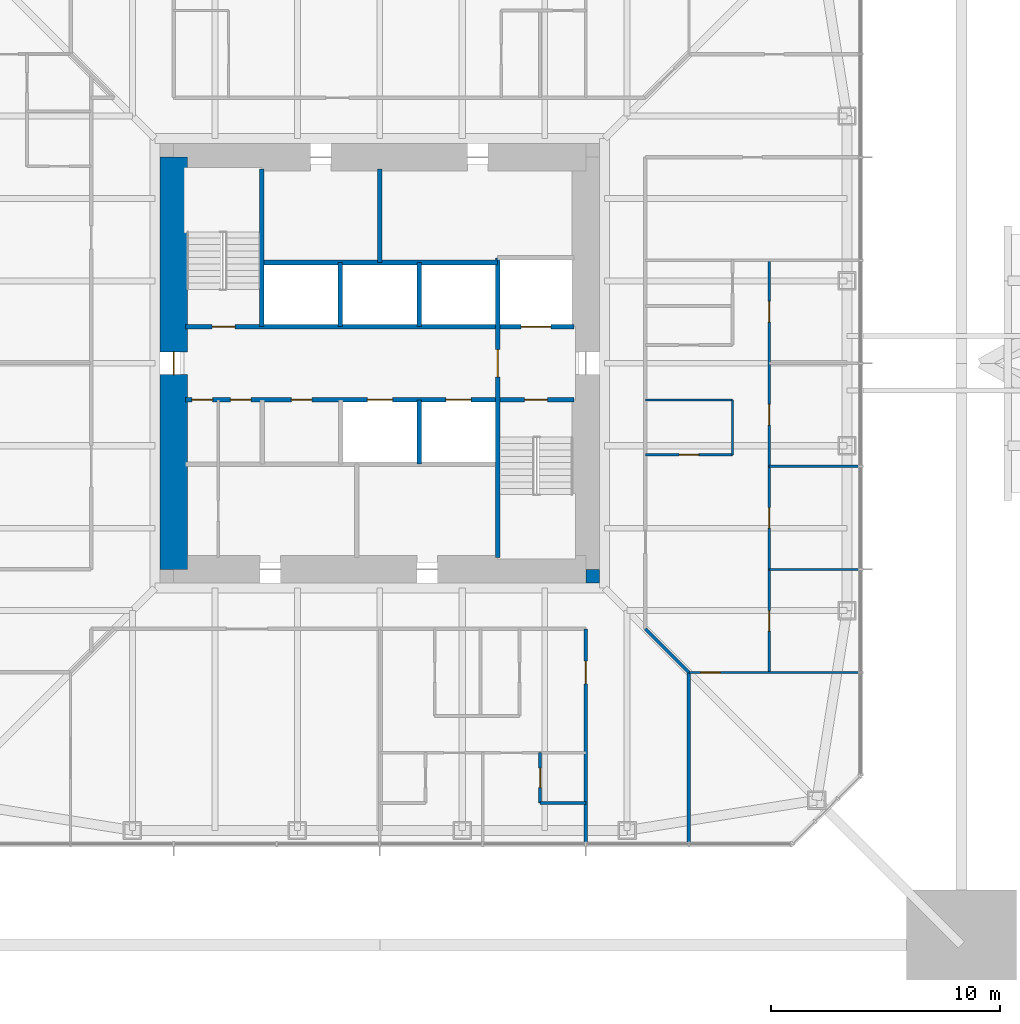
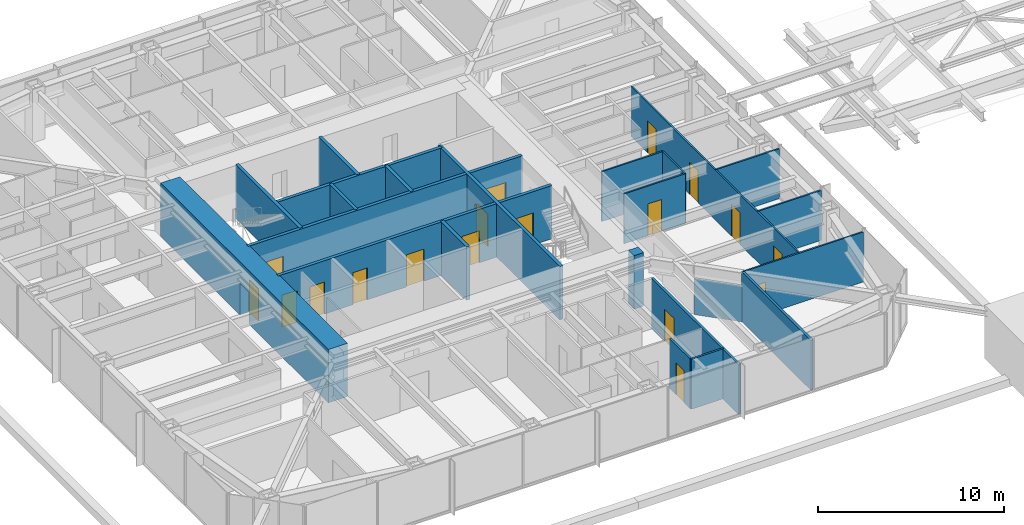
# One storey, part 15 of 26: 23 walls, 18 doors, 18 openings.
"""IFC4 building model written with IfcOpenShell, lengths in metres."""

from ifc_helpers import new_model, si_unit, direction, frame, frame_2d, origin, place, context, subcontext, project, spatial, rectangle, extrude, material, layer, layer_set, type_object, element, fill, save


model = new_model("IFC4")

# Units and contexts
model_context = context("Model", 3, precision=1e-05, world=origin(), true_north=direction((0.0, 1.0)))
body_context = subcontext(model_context, "Body", "Model", "MODEL_VIEW")
ifc_project = project(units=[si_unit("LENGTHUNIT", "METRE"), si_unit("AREAUNIT", "SQUARE_METRE"), si_unit("VOLUMEUNIT", "CUBIC_METRE"), si_unit("PLANEANGLEUNIT", "RADIAN"), si_unit("MASSUNIT", "GRAM", prefix="KILO")], contexts=[model_context])

# Site, building, storey
site_placement = place(None, origin())
site = spatial("IfcSite", under=ifc_project, at=site_placement, CompositionType="ELEMENT")
building_placement = place(site_placement, origin())
building = spatial("IfcBuilding", under=site, at=building_placement, Name="Iwan Alto Co-Living Towers", CompositionType="ELEMENT")
storey_placement = place(building_placement, frame((0.0, 0.0, 126.0)))
storey = spatial("IfcBuildingStorey", under=building, at=storey_placement, Name="L34", CompositionType="ELEMENT", Elevation=126.0)

# Wall
ifc_material_1 = material(Name="Gypsum board")
ifc_layer_1 = layer(ifc_material_1, 0.02490234375, Name="Board", Category="Finish")
ifc_material_2 = material(Name="Steel ASTM A1003 ST33H cold-formed studs", Category="steel")
ifc_layer_2 = layer(ifc_material_2, 0.10009765625, Name="Studs", Category="Framing")
ifc_layer_3 = layer(ifc_material_1, 0.02490234375, Name="Board", Category="Finish")
ifc_layer_set_1 = layer_set([ifc_layer_1, ifc_layer_2, ifc_layer_3], Name="CORRIDOR WALL 150")
wall_type_1 = type_object("IfcWallType", Name="CORRIDOR WALL 150", PredefinedType="PARTITIONING", material=ifc_layer_set_1)
wall_1_placement = place(storey_placement, frame((13.5, -20.93994140625, 0.0), z_axis=(0.0, 0.0, 1.0), x_axis=(0.0, 1.0, 0.0)))
element("IfcWall", 1, at=wall_1_placement, inside=storey, type_object=wall_type_1, Name="Partition L34", PredefinedType="PARTITIONING", context=body_context, shape_type="SweptSolid", body=[
    extrude(rectangle(XDim=7.43994140625, YDim=0.14990234375, at=frame_2d((3.719970703125, 0.0))), origin(), (0.0, 0.0, 1.0), 3.27001953125),
])

# Wall, opening, door
wall_2_placement = place(storey_placement, frame((9.0, -20.93994140625, 0.0), z_axis=(0.0, 0.0, 1.0), x_axis=(0.0, 1.0, 0.0)))
wall_2 = element("IfcWall", 2, at=wall_2_placement, inside=storey, type_object=wall_type_1, Name="Partition L34", PredefinedType="PARTITIONING", context=body_context, shape_type="SweptSolid", body=[
    extrude(rectangle(XDim=9.33984375, YDim=0.14990234375, at=frame_2d((4.669921875, 0.0))), origin(), (0.0, 0.0, 1.0), 3.27001953125),
])
opening_1_placement = place(wall_2_placement, frame((6.93994140625, 0.0, 0.0)))
opening_1 = element("IfcOpeningElement", 3, at=opening_1_placement, cuts=wall_2, Name="Opening D3", PredefinedType="OPENING", context=body_context, shape_type="SweptSolid", body=[
    extrude(rectangle(XDim=1.0, YDim=2.10009765625, at=frame_2d((0.5, 1.050048828125))), frame((0.0, 0.0849609375, 0.0), z_axis=(0.0, -1.0, 0.0), x_axis=(1.0, 0.0, 0.0)), (0.0, 0.0, 1.0), 0.169921875),
])
ifc_material_3 = material(Name="Steel frame with timber leaf", Category="steel")
door_type_1 = type_object("IfcDoorType", Name="FLAT ENTRANCE DOOR FD30S 1000X2100", OperationType="SINGLE_SWING_LEFT", PredefinedType="DOOR", material=ifc_material_3)
door_1_placement = place(opening_1_placement, origin())
door_1 = element("IfcDoor", 4, at=door_1_placement, inside=storey, type_object=door_type_1, Name="Cluster lounge and shared kitchen door L34", OperationType="SINGLE_SWING_RIGHT", OverallHeight=2.10009765625, OverallWidth=1.0, PredefinedType="DOOR", context=body_context, shape_type="SweptSolid", body=[
    extrude(rectangle(XDim=1.0, YDim=2.10009765625, at=frame_2d((0.5, 1.050048828125))), frame((0.0, 0.02490234375, 0.0), z_axis=(0.0, -1.0, 0.0), x_axis=(1.0, 0.0, 0.0)), (0.0, 0.0, 1.0), 0.050048828125),
])
fill(opening_1, door_1)

# Wall
wall_3_placement = place(storey_placement, frame((13.5, -13.5, 0.0), z_axis=(0.0, 0.0, 1.0), x_axis=(-0.707106781187, 0.707106781187, 0.0)))
element("IfcWall", 5, at=wall_3_placement, inside=storey, type_object=wall_type_1, Name="Partition L34", PredefinedType="PARTITIONING", context=body_context, shape_type="SweptSolid", body=[
    extrude(rectangle(XDim=2.686767578125, YDim=0.14990234375, at=frame_2d((1.34326171875, 0.0))), origin(), (0.0, 0.0, 1.0), 2.343017578125),
])

# Wall, opening, door
ifc_layer_4 = layer(ifc_material_1, 0.012451171875, Name="Board", Category="Finish")
ifc_layer_5 = layer(ifc_material_2, 0.074951171875, Name="Studs", Category="Framing")
ifc_layer_6 = layer(ifc_material_1, 0.012451171875, Name="Board", Category="Finish")
ifc_layer_set_2 = layer_set([ifc_layer_4, ifc_layer_5, ifc_layer_6], Name="PARTITION 100")
wall_type_2 = type_object("IfcWallType", Name="PARTITION 100", PredefinedType="PARTITIONING", material=ifc_layer_set_2)
wall_4_placement = place(storey_placement, frame((13.5, -13.5, 0.0), z_axis=(0.0, 0.0, 1.0), x_axis=(1.0, 0.0, 0.0)))
wall_4 = element("IfcWall", 6, at=wall_4_placement, inside=storey, type_object=wall_type_2, Name="Partition L34", PredefinedType="PARTITIONING", context=body_context, shape_type="SweptSolid", body=[
    extrude(rectangle(XDim=7.43994140625, YDim=0.10009765625, at=frame_2d((3.719970703125, 0.0))), origin(), (0.0, 0.0, 1.0), 3.27001953125),
])
opening_2_placement = place(wall_4_placement, frame((0.52490234375, 0.0, 0.0)))
opening_2 = element("IfcOpeningElement", 7, at=opening_2_placement, cuts=wall_4, Name="Opening D2", PredefinedType="OPENING", context=body_context, shape_type="SweptSolid", body=[
    extrude(rectangle(XDim=0.85009765625, YDim=2.10009765625, at=frame_2d((0.425048828125, 1.050048828125))), frame((0.0, 0.06005859375, 0.0), z_axis=(0.0, -1.0, 0.0), x_axis=(1.0, 0.0, 0.0)), (0.0, 0.0, 1.0), 0.1201171875),
])
ifc_material_4 = material(Name="Timber leaf in steel frame", Category="steel")
door_type_2 = type_object("IfcDoorType", Name="ROOM DOOR 850X2100", OperationType="SINGLE_SWING_LEFT", PredefinedType="DOOR", material=ifc_material_4)
door_2_placement = place(opening_2_placement, origin())
door_2 = element("IfcDoor", 8, at=door_2_placement, inside=storey, type_object=door_type_2, Name="Shared kitchen and lounge door L34", OperationType="SINGLE_SWING_LEFT", OverallHeight=2.10009765625, OverallWidth=0.85009765625, PredefinedType="DOOR", context=body_context, shape_type="SweptSolid", body=[
    extrude(rectangle(XDim=0.85009765625, YDim=2.10009765625, at=frame_2d((0.425048828125, 1.050048828125))), frame((0.0, 0.02490234375, 0.0), z_axis=(0.0, -1.0, 0.0), x_axis=(1.0, 0.0, 0.0)), (0.0, 0.0, 1.0), 0.050048828125),
])
fill(opening_2, door_2)

# Walls
for number, where, z_axis, x_axis, name in (
    (9, (17.0, -9.0, 0.0), (0.0, 0.0, 1.0), (1.0, 0.0, 0.0), "Partition L34"),
    (10, (17.0, -4.5, 0.0), (0.0, 0.0, 1.0), (1.0, 0.0, 0.0), "Partition L34"),
):
    element("IfcWall", number, at=place(storey_placement, frame(where, z_axis=z_axis, x_axis=x_axis)), inside=storey, type_object=wall_type_2, Name=name, PredefinedType="PARTITIONING", context=body_context, shape_type="SweptSolid", body=[
        extrude(rectangle(XDim=3.93994140625, YDim=0.10009765625, at=frame_2d((1.969970703125, 0.0))), origin(), (0.0, 0.0, 1.0), 3.27001953125),
    ])

# Wall, opening, door
wall_5_placement = place(storey_placement, frame((11.60009765625, -4.0, 0.0), z_axis=(0.0, 0.0, 1.0), x_axis=(1.0, 0.0, 0.0)))
wall_5 = element("IfcWall", 11, at=wall_5_placement, inside=storey, type_object=wall_type_2, Name="Partition L34", PredefinedType="PARTITIONING", context=body_context, shape_type="SweptSolid", body=[
    extrude(rectangle(XDim=3.7998046875, YDim=0.10009765625, at=frame_2d((1.89990234375, 0.0))), origin(), (0.0, 0.0, 1.0), 3.27001953125),
])
opening_3_placement = place(wall_5_placement, frame((1.47509765625, 0.0, 0.0)))
opening_3 = element("IfcOpeningElement", 12, at=opening_3_placement, cuts=wall_5, Name="Opening D2", PredefinedType="OPENING", context=body_context, shape_type="SweptSolid", body=[
    extrude(rectangle(XDim=0.85009765625, YDim=2.10009765625, at=frame_2d((0.425048828125, 1.050048828125))), frame((0.0, 0.06005859375, 0.0), z_axis=(0.0, -1.0, 0.0), x_axis=(1.0, 0.0, 0.0)), (0.0, 0.0, 1.0), 0.1201171875),
])
door_3_placement = place(opening_3_placement, frame((0.85009765625, 0.0, 0.0), z_axis=(0.0, 0.0, 1.0), x_axis=(-1.0, 0.0, 0.0)))
door_3 = element("IfcDoor", 13, at=door_3_placement, inside=storey, type_object=door_type_2, Name="Study room door L34", OperationType="SINGLE_SWING_RIGHT", OverallHeight=2.10009765625, OverallWidth=0.85009765625, PredefinedType="DOOR", context=body_context, shape_type="SweptSolid", body=[
    extrude(rectangle(XDim=0.85009765625, YDim=2.10009765625, at=frame_2d((0.425048828125, 1.050048828125))), frame((0.0, 0.02490234375, 0.0), z_axis=(0.0, -1.0, 0.0), x_axis=(1.0, 0.0, 0.0)), (0.0, 0.0, 1.0), 0.050048828125),
])
fill(opening_3, door_3)

# Wall
wall_6_placement = place(storey_placement, frame((11.60009765625, -1.60009765625, 0.0), z_axis=(0.0, 0.0, 1.0), x_axis=(1.0, 0.0, 0.0)))
element("IfcWall", 14, at=wall_6_placement, inside=storey, type_object=wall_type_2, Name="Partition L34", PredefinedType="PARTITIONING", context=body_context, shape_type="SweptSolid", body=[
    extrude(rectangle(XDim=3.7998046875, YDim=0.10009765625, at=frame_2d((1.89990234375, 0.0))), origin(), (0.0, 0.0, 1.0), 3.27001953125),
])

# Wall, openings, doors
wall_7_placement = place(storey_placement, frame((17.0, -13.5, 0.0), z_axis=(0.0, 0.0, 1.0), x_axis=(0.0, 1.0, 0.0)))
wall_7 = element("IfcWall", 15, at=wall_7_placement, inside=storey, type_object=wall_type_2, Name="Partition L34", PredefinedType="PARTITIONING", context=body_context, shape_type="SweptSolid", body=[
    extrude(rectangle(XDim=18.0, YDim=0.10009765625, at=frame_2d((9.0, 0.0))), origin(), (0.0, 0.0, 1.0), 3.27001953125),
])
opening_4_placement = place(wall_7_placement, frame((1.800048828125, 0.0, 0.0)))
opening_4 = element("IfcOpeningElement", 16, at=opening_4_placement, cuts=wall_7, Name="Opening D1", PredefinedType="OPENING", context=body_context, shape_type="SweptSolid", body=[
    extrude(rectangle(XDim=0.89990234375, YDim=2.10009765625, at=frame_2d((0.449951171875, 1.050048828125))), frame((0.0, 0.06005859375, 0.0), z_axis=(0.0, -1.0, 0.0), x_axis=(1.0, 0.0, 0.0)), (0.0, 0.0, 1.0), 0.1201171875),
])
opening_5_placement = place(wall_7_placement, frame((6.300048828125, 0.0, 0.0)))
opening_5 = element("IfcOpeningElement", 17, at=opening_5_placement, cuts=wall_7, Name="Opening D1", PredefinedType="OPENING", context=body_context, shape_type="SweptSolid", body=[
    extrude(rectangle(XDim=0.89990234375, YDim=2.10009765625, at=frame_2d((0.449951171875, 1.050048828125))), frame((0.0, 0.06005859375, 0.0), z_axis=(0.0, -1.0, 0.0), x_axis=(1.0, 0.0, 0.0)), (0.0, 0.0, 1.0), 0.1201171875),
])
opening_6_placement = place(wall_7_placement, frame((10.800048828125, 0.0, 0.0)))
opening_6 = element("IfcOpeningElement", 18, at=opening_6_placement, cuts=wall_7, Name="Opening D1", PredefinedType="OPENING", context=body_context, shape_type="SweptSolid", body=[
    extrude(rectangle(XDim=0.89990234375, YDim=2.10009765625, at=frame_2d((0.449951171875, 1.050048828125))), frame((0.0, 0.06005859375, 0.0), z_axis=(0.0, -1.0, 0.0), x_axis=(1.0, 0.0, 0.0)), (0.0, 0.0, 1.0), 0.1201171875),
])
opening_7_placement = place(wall_7_placement, frame((15.300048828125, 0.0, 0.0)))
opening_7 = element("IfcOpeningElement", 19, at=opening_7_placement, cuts=wall_7, Name="Opening D1", PredefinedType="OPENING", context=body_context, shape_type="SweptSolid", body=[
    extrude(rectangle(XDim=0.89990234375, YDim=2.10009765625, at=frame_2d((0.449951171875, 1.050048828125))), frame((0.0, 0.06005859375, 0.0), z_axis=(0.0, -1.0, 0.0), x_axis=(1.0, 0.0, 0.0)), (0.0, 0.0, 1.0), 0.1201171875),
])
ifc_material_5 = material(Name="Timber leaf in steel frame", Category="steel")
door_type_3 = type_object("IfcDoorType", Name="BEDROOM DOOR 900X2100", OperationType="SINGLE_SWING_LEFT", PredefinedType="DOOR", material=ifc_material_5)
door_4_placement = place(opening_4_placement, origin())
door_4 = element("IfcDoor", 20, at=door_4_placement, inside=storey, type_object=door_type_3, Name="Study bedroom door L34", OperationType="SINGLE_SWING_LEFT", OverallHeight=2.10009765625, OverallWidth=0.89990234375, PredefinedType="DOOR", context=body_context, shape_type="SweptSolid", body=[
    extrude(rectangle(XDim=0.89990234375, YDim=2.10009765625, at=frame_2d((0.449951171875, 1.050048828125))), frame((0.0, 0.02490234375, 0.0), z_axis=(0.0, -1.0, 0.0), x_axis=(1.0, 0.0, 0.0)), (0.0, 0.0, 1.0), 0.050048828125),
])
fill(opening_4, door_4)
door_5_placement = place(opening_5_placement, origin())
door_5 = element("IfcDoor", 21, at=door_5_placement, inside=storey, type_object=door_type_3, Name="Study bedroom door L34", OperationType="SINGLE_SWING_LEFT", OverallHeight=2.10009765625, OverallWidth=0.89990234375, PredefinedType="DOOR", context=body_context, shape_type="SweptSolid", body=[
    extrude(rectangle(XDim=0.89990234375, YDim=2.10009765625, at=frame_2d((0.449951171875, 1.050048828125))), frame((0.0, 0.02490234375, 0.0), z_axis=(0.0, -1.0, 0.0), x_axis=(1.0, 0.0, 0.0)), (0.0, 0.0, 1.0), 0.050048828125),
])
fill(opening_5, door_5)
door_6_placement = place(opening_6_placement, origin())
door_6 = element("IfcDoor", 22, at=door_6_placement, inside=storey, type_object=door_type_3, Name="Study bedroom door L34", OperationType="SINGLE_SWING_RIGHT", OverallHeight=2.10009765625, OverallWidth=0.89990234375, PredefinedType="DOOR", context=body_context, shape_type="SweptSolid", body=[
    extrude(rectangle(XDim=0.89990234375, YDim=2.10009765625, at=frame_2d((0.449951171875, 1.050048828125))), frame((0.0, 0.02490234375, 0.0), z_axis=(0.0, -1.0, 0.0), x_axis=(1.0, 0.0, 0.0)), (0.0, 0.0, 1.0), 0.050048828125),
])
fill(opening_6, door_6)
door_7_placement = place(opening_7_placement, origin())
door_7 = element("IfcDoor", 23, at=door_7_placement, inside=storey, type_object=door_type_3, Name="Study bedroom door L34", OperationType="SINGLE_SWING_RIGHT", OverallHeight=2.10009765625, OverallWidth=0.89990234375, PredefinedType="DOOR", context=body_context, shape_type="SweptSolid", body=[
    extrude(rectangle(XDim=0.89990234375, YDim=2.10009765625, at=frame_2d((0.449951171875, 1.050048828125))), frame((0.0, 0.02490234375, 0.0), z_axis=(0.0, -1.0, 0.0), x_axis=(1.0, 0.0, 0.0)), (0.0, 0.0, 1.0), 0.050048828125),
])
fill(opening_7, door_7)

# Wall
wall_8_placement = place(storey_placement, frame((15.39990234375, -4.0, 0.0), z_axis=(0.0, 0.0, 1.0), x_axis=(0.0, 1.0, 0.0)))
element("IfcWall", 24, at=wall_8_placement, inside=storey, type_object=wall_type_2, Name="Partition L34", PredefinedType="PARTITIONING", context=body_context, shape_type="SweptSolid", body=[
    extrude(rectangle(XDim=2.39990234375, YDim=0.10009765625, at=frame_2d((1.199951171875, 0.0))), origin(), (0.0, 0.0, 1.0), 3.27001953125),
])

# Wall, openings, doors
ifc_material_6 = material(Name="Concrete f'c 70 MPa", Category="concrete")
ifc_layer_7 = layer(ifc_material_6, 0.199951171875)
ifc_layer_set_3 = layer_set([ifc_layer_7], Name="SHAFT WALL 200")
wall_type_3 = type_object("IfcWallType", Name="SHAFT WALL 200", PredefinedType="SOLIDWALL", material=ifc_layer_set_3)
wall_9_placement = place(storey_placement, frame((-8.489990234375, -1.60009765625, 0.0), z_axis=(0.0, 0.0, 1.0), x_axis=(1.0, 0.0, 0.0)))
wall_9 = element("IfcWall", 25, at=wall_9_placement, inside=storey, type_object=wall_type_3, Name="Shaft wall L34", PredefinedType="SOLIDWALL", context=body_context, shape_type="SweptSolid", body=[
    extrude(rectangle(XDim=16.97998046875, YDim=0.199951171875, at=frame_2d((8.489990234375, 0.0))), origin(), (0.0, 0.0, 1.0), 3.5),
])
opening_8_placement = place(wall_9_placement, frame((14.81005859375, 0.0, 0.0)))
opening_8 = element("IfcOpeningElement", 26, at=opening_8_placement, cuts=wall_9, Name="Opening D5", PredefinedType="OPENING", context=body_context, shape_type="SweptSolid", body=[
    extrude(rectangle(XDim=1.0, YDim=2.10009765625, at=frame_2d((0.5, 1.050048828125))), frame((0.0, 0.10986328125, 0.0), z_axis=(0.0, -1.0, 0.0), x_axis=(1.0, 0.0, 0.0)), (0.0, 0.0, 1.0), 0.219970703125),
])
opening_9_placement = place(wall_9_placement, frame((1.972900390625, 0.0, 0.0)))
opening_9 = element("IfcOpeningElement", 27, at=opening_9_placement, cuts=wall_9, Name="Opening D15", PredefinedType="OPENING", context=body_context, shape_type="SweptSolid", body=[
    extrude(rectangle(XDim=0.89990234375, YDim=2.10009765625, at=frame_2d((0.449951171875, 1.050048828125))), frame((0.0, 0.10986328125, 0.0), z_axis=(0.0, -1.0, 0.0), x_axis=(1.0, 0.0, 0.0)), (0.0, 0.0, 1.0), 0.219970703125),
])
opening_10_placement = place(wall_9_placement, frame((0.2900390625, 0.0, 0.0)))
opening_10 = element("IfcOpeningElement", 28, at=opening_10_placement, cuts=wall_9, Name="Opening D15", PredefinedType="OPENING", context=body_context, shape_type="SweptSolid", body=[
    extrude(rectangle(XDim=0.89990234375, YDim=2.10009765625, at=frame_2d((0.449951171875, 1.050048828125))), frame((0.0, 0.10986328125, 0.0), z_axis=(0.0, -1.0, 0.0), x_axis=(1.0, 0.0, 0.0)), (0.0, 0.0, 1.0), 0.219970703125),
])
opening_11_placement = place(wall_9_placement, frame((4.626953125, 0.0, 0.0)))
opening_11 = element("IfcOpeningElement", 29, at=opening_11_placement, cuts=wall_9, Name="Opening D15", PredefinedType="OPENING", context=body_context, shape_type="SweptSolid", body=[
    extrude(rectangle(XDim=0.89990234375, YDim=2.10009765625, at=frame_2d((0.449951171875, 1.050048828125))), frame((0.0, 0.10986328125, 0.0), z_axis=(0.0, -1.0, 0.0), x_axis=(1.0, 0.0, 0.0)), (0.0, 0.0, 1.0), 0.219970703125),
])
opening_12_placement = place(wall_9_placement, frame((7.952880859375, 0.0, 0.0)))
opening_12 = element("IfcOpeningElement", 30, at=opening_12_placement, cuts=wall_9, Name="Opening LD", PredefinedType="OPENING", context=body_context, shape_type="SweptSolid", body=[
    extrude(rectangle(XDim=1.10009765625, YDim=2.10009765625, at=frame_2d((0.550048828125, 1.050048828125))), frame((0.0, 0.10986328125, 0.0), z_axis=(0.0, -1.0, 0.0), x_axis=(1.0, 0.0, 0.0)), (0.0, 0.0, 1.0), 0.219970703125),
])
opening_13_placement = place(wall_9_placement, frame((11.3779296875, 0.0, 0.0)))
opening_13 = element("IfcOpeningElement", 31, at=opening_13_placement, cuts=wall_9, Name="Opening LD", PredefinedType="OPENING", context=body_context, shape_type="SweptSolid", body=[
    extrude(rectangle(XDim=1.10009765625, YDim=2.10009765625, at=frame_2d((0.550048828125, 1.050048828125))), frame((0.0, 0.10986328125, 0.0), z_axis=(0.0, -1.0, 0.0), x_axis=(1.0, 0.0, 0.0)), (0.0, 0.0, 1.0), 0.219970703125),
])
ifc_material_7 = material(Name="Steel frame with timber leaf", Category="steel")
door_type_4 = type_object("IfcDoorType", Name="CORE ROOM DOOR FD60S 900X2100", OperationType="SINGLE_SWING_LEFT", PredefinedType="DOOR", material=ifc_material_7)
door_8_placement = place(opening_9_placement, frame((0.89990234375, 0.0, 0.0), z_axis=(0.0, 0.0, 1.0), x_axis=(-1.0, 0.0, 0.0)))
door_8 = element("IfcDoor", 32, at=door_8_placement, inside=storey, type_object=door_type_4, Name="Cleaner's store door L34", OperationType="SINGLE_SWING_RIGHT", OverallHeight=2.10009765625, OverallWidth=0.89990234375, PredefinedType="DOOR", context=body_context, shape_type="SweptSolid", body=[
    extrude(rectangle(XDim=0.89990234375, YDim=2.10009765625, at=frame_2d((0.449951171875, 1.050048828125))), frame((0.0, 0.02490234375, 0.0), z_axis=(0.0, -1.0, 0.0), x_axis=(1.0, 0.0, 0.0)), (0.0, 0.0, 1.0), 0.050048828125),
])
fill(opening_9, door_8)
door_9_placement = place(opening_10_placement, frame((0.89990234375, 0.0, 0.0), z_axis=(0.0, 0.0, 1.0), x_axis=(-1.0, 0.0, 0.0)))
door_9 = element("IfcDoor", 33, at=door_9_placement, inside=storey, type_object=door_type_4, Name="Comms room door L34", OperationType="SINGLE_SWING_LEFT", OverallHeight=2.10009765625, OverallWidth=0.89990234375, PredefinedType="DOOR", context=body_context, shape_type="SweptSolid", body=[
    extrude(rectangle(XDim=0.89990234375, YDim=2.10009765625, at=frame_2d((0.449951171875, 1.050048828125))), frame((0.0, 0.02490234375, 0.0), z_axis=(0.0, -1.0, 0.0), x_axis=(1.0, 0.0, 0.0)), (0.0, 0.0, 1.0), 0.050048828125),
])
fill(opening_10, door_9)
door_10_placement = place(opening_11_placement, frame((0.89990234375, 0.0, 0.0), z_axis=(0.0, 0.0, 1.0), x_axis=(-1.0, 0.0, 0.0)))
door_10 = element("IfcDoor", 34, at=door_10_placement, inside=storey, type_object=door_type_4, Name="Cleaner's store door L34", OperationType="SINGLE_SWING_RIGHT", OverallHeight=2.10009765625, OverallWidth=0.89990234375, PredefinedType="DOOR", context=body_context, shape_type="SweptSolid", body=[
    extrude(rectangle(XDim=0.89990234375, YDim=2.10009765625, at=frame_2d((0.449951171875, 1.050048828125))), frame((0.0, 0.02490234375, 0.0), z_axis=(0.0, -1.0, 0.0), x_axis=(1.0, 0.0, 0.0)), (0.0, 0.0, 1.0), 0.050048828125),
])
fill(opening_11, door_10)
ifc_material_8 = material(Name="Steel frame with timber leaf", Category="steel")
door_type_5 = type_object("IfcDoorType", Name="LIFT LANDING DOOR 1100X2100", OperationType="DOUBLE_DOOR_SLIDING", PredefinedType="DOOR", material=ifc_material_8)
door_11_placement = place(opening_12_placement, origin())
door_11 = element("IfcDoor", 35, at=door_11_placement, inside=storey, type_object=door_type_5, Name="Lift P2-3 landing door L34", OperationType="DOUBLE_DOOR_SLIDING", OverallHeight=2.10009765625, OverallWidth=1.10009765625, PredefinedType="DOOR", context=body_context, shape_type="SweptSolid", body=[
    extrude(rectangle(XDim=1.10009765625, YDim=2.10009765625, at=frame_2d((0.550048828125, 1.050048828125))), frame((0.0, 0.02490234375, 0.0), z_axis=(0.0, -1.0, 0.0), x_axis=(1.0, 0.0, 0.0)), (0.0, 0.0, 1.0), 0.050048828125),
])
fill(opening_12, door_11)
door_12_placement = place(opening_13_placement, origin())
door_12 = element("IfcDoor", 36, at=door_12_placement, inside=storey, type_object=door_type_5, Name="Lift P2-4 landing door L34", OperationType="DOUBLE_DOOR_SLIDING", OverallHeight=2.10009765625, OverallWidth=1.10009765625, PredefinedType="DOOR", context=body_context, shape_type="SweptSolid", body=[
    extrude(rectangle(XDim=1.10009765625, YDim=2.10009765625, at=frame_2d((0.550048828125, 1.050048828125))), frame((0.0, 0.02490234375, 0.0), z_axis=(0.0, -1.0, 0.0), x_axis=(1.0, 0.0, 0.0)), (0.0, 0.0, 1.0), 0.050048828125),
])
fill(opening_13, door_12)
ifc_material_9 = material(Name="Steel frame with timber leaf", Category="steel")
door_type_6 = type_object("IfcDoorType", Name="STAIR DOOR FD120S 1000X2100", OperationType="SINGLE_SWING_LEFT", PredefinedType="DOOR", material=ifc_material_9)
door_13_placement = place(opening_8_placement, frame((1.0, 0.0, 0.0), z_axis=(0.0, 0.0, 1.0), x_axis=(-1.0, 0.0, 0.0)))
door_13 = element("IfcDoor", 37, at=door_13_placement, inside=storey, type_object=door_type_6, Name="Stair S2 door L34", OperationType="SINGLE_SWING_RIGHT", OverallHeight=2.10009765625, OverallWidth=1.0, PredefinedType="DOOR", context=body_context, shape_type="SweptSolid", body=[
    extrude(rectangle(XDim=1.0, YDim=2.10009765625, at=frame_2d((0.5, 1.050048828125))), frame((0.0, 0.02490234375, 0.0), z_axis=(0.0, -1.0, 0.0), x_axis=(1.0, 0.0, 0.0)), (0.0, 0.0, 1.0), 0.050048828125),
])
fill(opening_8, door_13)

wall_10_placement = place(storey_placement, frame((-8.489990234375, 1.60009765625, 0.0), z_axis=(0.0, 0.0, 1.0), x_axis=(1.0, 0.0, 0.0)))
wall_10 = element("IfcWall", 38, at=wall_10_placement, inside=storey, type_object=wall_type_3, Name="Shaft wall L34", PredefinedType="SOLIDWALL", context=body_context, shape_type="SweptSolid", body=[
    extrude(rectangle(XDim=16.97998046875, YDim=0.199951171875, at=frame_2d((8.489990234375, 0.0))), origin(), (0.0, 0.0, 1.0), 3.5),
])
opening_14_placement = place(wall_10_placement, frame((1.169921875, 0.0, 0.0)))
opening_14 = element("IfcOpeningElement", 39, at=opening_14_placement, cuts=wall_10, Name="Opening D5", PredefinedType="OPENING", context=body_context, shape_type="SweptSolid", body=[
    extrude(rectangle(XDim=1.0, YDim=2.10009765625, at=frame_2d((0.5, 1.050048828125))), frame((0.0, 0.10986328125, 0.0), z_axis=(0.0, -1.0, 0.0), x_axis=(1.0, 0.0, 0.0)), (0.0, 0.0, 1.0), 0.219970703125),
])
opening_15_placement = place(wall_10_placement, frame((14.659912109375, 0.0, 0.0)))
opening_15 = element("IfcOpeningElement", 40, at=opening_15_placement, cuts=wall_10, Name="Opening LD2", PredefinedType="OPENING", context=body_context, shape_type="SweptSolid", body=[
    extrude(rectangle(XDim=1.300048828125, YDim=2.10009765625, at=frame_2d((0.64990234375, 1.050048828125))), frame((0.0, 0.10986328125, 0.0), z_axis=(0.0, -1.0, 0.0), x_axis=(1.0, 0.0, 0.0)), (0.0, 0.0, 1.0), 0.219970703125),
])
ifc_material_10 = material(Name="Steel frame with timber leaf", Category="steel")
door_type_7 = type_object("IfcDoorType", Name="LIFT LANDING DOOR 1300X2100", OperationType="SLIDING_TO_LEFT", PredefinedType="DOOR", material=ifc_material_10)
door_14_placement = place(opening_15_placement, origin())
door_14 = element("IfcDoor", 41, at=door_14_placement, inside=storey, type_object=door_type_7, Name="Lift FL1 landing door L34", OperationType="SLIDING_TO_LEFT", OverallHeight=2.10009765625, OverallWidth=1.300048828125, PredefinedType="DOOR", context=body_context, shape_type="SweptSolid", body=[
    extrude(rectangle(XDim=1.300048828125, YDim=2.10009765625, at=frame_2d((0.64990234375, 1.050048828125))), frame((0.0, 0.02490234375, 0.0), z_axis=(0.0, -1.0, 0.0), x_axis=(1.0, 0.0, 0.0)), (0.0, 0.0, 1.0), 0.050048828125),
])
fill(opening_15, door_14)
door_15_placement = place(opening_14_placement, origin())
door_15 = element("IfcDoor", 42, at=door_15_placement, inside=storey, type_object=door_type_6, Name="Stair S1 door L34", OperationType="SINGLE_SWING_RIGHT", OverallHeight=2.10009765625, OverallWidth=1.0, PredefinedType="DOOR", context=body_context, shape_type="SweptSolid", body=[
    extrude(rectangle(XDim=1.0, YDim=2.10009765625, at=frame_2d((0.5, 1.050048828125))), frame((0.0, 0.02490234375, 0.0), z_axis=(0.0, -1.0, 0.0), x_axis=(1.0, 0.0, 0.0)), (0.0, 0.0, 1.0), 0.050048828125),
])
fill(opening_14, door_15)

# Wall
wall_11_placement = place(storey_placement, frame((-5.14990234375, 4.39990234375, 0.0), z_axis=(0.0, 0.0, 1.0), x_axis=(1.0, 0.0, 0.0)))
element("IfcWall", 43, at=wall_11_placement, inside=storey, type_object=wall_type_3, Name="Shaft wall L34", PredefinedType="SOLIDWALL", context=body_context, shape_type="SweptSolid", body=[
    extrude(rectangle(XDim=10.2998046875, YDim=0.199951171875, at=frame_2d((5.14990234375, 0.0))), origin(), (0.0, 0.0, 1.0), 3.5),
])

# Wall, opening, door
wall_12_placement = place(storey_placement, frame((5.14990234375, -8.489990234375, 0.0), z_axis=(0.0, 0.0, 1.0), x_axis=(0.0, 1.0, 0.0)))
wall_12 = element("IfcWall", 44, at=wall_12_placement, inside=storey, type_object=wall_type_3, Name="Shaft wall L34", PredefinedType="SOLIDWALL", context=body_context, shape_type="SweptSolid", body=[
    extrude(rectangle(XDim=13.090087890625, YDim=0.199951171875, at=frame_2d((6.544921875, 0.0))), origin(), (0.0, 0.0, 1.0), 3.5),
])
opening_16_placement = place(wall_12_placement, frame((7.889892578125, 0.0, 0.0)))
opening_16 = element("IfcOpeningElement", 45, at=opening_16_placement, cuts=wall_12, Name="Opening D6", PredefinedType="OPENING", context=body_context, shape_type="SweptSolid", body=[
    extrude(rectangle(XDim=1.199951171875, YDim=2.10009765625, at=frame_2d((0.60009765625, 1.050048828125))), frame((0.0, 0.10986328125, 0.0), z_axis=(0.0, -1.0, 0.0), x_axis=(1.0, 0.0, 0.0)), (0.0, 0.0, 1.0), 0.219970703125),
])
ifc_material_11 = material(Name="Steel frame with timber leaf", Category="steel")
door_type_8 = type_object("IfcDoorType", Name="LOBBY DOOR FD120S 1200X2100", OperationType="SINGLE_SWING_LEFT", PredefinedType="DOOR", material=ifc_material_11)
door_16_placement = place(opening_16_placement, frame((1.199951171875, 0.0, 0.0), z_axis=(0.0, 0.0, 1.0), x_axis=(-1.0, 0.0, 0.0)))
door_16 = element("IfcDoor", 46, at=door_16_placement, inside=storey, type_object=door_type_8, Name="Firefighting lobby door L34", OperationType="SINGLE_SWING_RIGHT", OverallHeight=2.10009765625, OverallWidth=1.199951171875, PredefinedType="DOOR", context=body_context, shape_type="SweptSolid", body=[
    extrude(rectangle(XDim=1.199951171875, YDim=2.10009765625, at=frame_2d((0.60009765625, 1.050048828125))), frame((0.0, 0.02490234375, 0.0), z_axis=(0.0, -1.0, 0.0), x_axis=(1.0, 0.0, 0.0)), (0.0, 0.0, 1.0), 0.050048828125),
])
fill(opening_16, door_16)

# Walls
for number, where, z_axis, x_axis, name in (
    (47, (1.72509765625, -4.39990234375, 0.0), (0.0, 0.0, 1.0), (0.0, 1.0, 0.0), "Shaft wall L34"),
    (48, (1.717041015625, 1.60009765625, 0.0), (0.0, 0.0, 1.0), (0.0, 1.0, 0.0), "Shaft wall L34"),
):
    element("IfcWall", number, at=place(storey_placement, frame(where, z_axis=z_axis, x_axis=x_axis)), inside=storey, type_object=wall_type_3, Name=name, PredefinedType="SOLIDWALL", context=body_context, shape_type="SweptSolid", body=[
        extrude(rectangle(XDim=2.7998046875, YDim=0.199951171875, at=frame_2d((1.39990234375, 0.0))), origin(), (0.0, 0.0, 1.0), 3.5),
    ])
wall_13_placement = place(storey_placement, frame((0.0, 4.39990234375, 0.0), z_axis=(0.0, 0.0, 1.0), x_axis=(0.0, 1.0, 0.0)))
element("IfcWall", 49, at=wall_13_placement, inside=storey, type_object=wall_type_3, Name="Shaft wall L34", PredefinedType="SOLIDWALL", context=body_context, shape_type="SweptSolid", body=[
    extrude(rectangle(XDim=4.090087890625, YDim=0.199951171875, at=frame_2d((2.044921875, 0.0))), origin(), (0.0, 0.0, 1.0), 3.5),
])
wall_14_placement = place(storey_placement, frame((-1.717041015625, 1.60009765625, 0.0), z_axis=(0.0, 0.0, 1.0), x_axis=(0.0, 1.0, 0.0)))
element("IfcWall", 50, at=wall_14_placement, inside=storey, type_object=wall_type_3, Name="Shaft wall L34", PredefinedType="SOLIDWALL", context=body_context, shape_type="SweptSolid", body=[
    extrude(rectangle(XDim=2.7998046875, YDim=0.199951171875, at=frame_2d((1.39990234375, 0.0))), origin(), (0.0, 0.0, 1.0), 3.5),
])
wall_15_placement = place(storey_placement, frame((-5.14990234375, 1.60009765625, 0.0), z_axis=(0.0, 0.0, 1.0), x_axis=(0.0, 1.0, 0.0)))
element("IfcWall", 51, at=wall_15_placement, inside=storey, type_object=wall_type_3, Name="Shaft wall L34", PredefinedType="SOLIDWALL", context=body_context, shape_type="SweptSolid", body=[
    extrude(rectangle(XDim=6.889892578125, YDim=0.199951171875, at=frame_2d((3.44482421875, 0.0))), origin(), (0.0, 0.0, 1.0), 3.5),
])
ifc_material_12 = material(Name="Concrete f'c 70 MPa", Category="concrete")
ifc_layer_8 = layer(ifc_material_12, 0.60009765625)
ifc_layer_set_4 = layer_set([ifc_layer_8], Name="T1 CORE CORNER FILL 600")
wall_type_4 = type_object("IfcWallType", Name="T1 CORE CORNER FILL 600", PredefinedType="SOLIDWALL", material=ifc_layer_set_4)
wall_16_placement = place(storey_placement, frame((9.0, -9.300048828125, 0.0), z_axis=(0.0, 0.0, 1.0), x_axis=(1.0, 0.0, 0.0)))
element("IfcWall", 52, at=wall_16_placement, inside=storey, type_object=wall_type_4, Name="T1 core corner SE L34", PredefinedType="SOLIDWALL", context=body_context, shape_type="SweptSolid", body=[
    extrude(rectangle(XDim=0.60009765625, YDim=0.60009765625, at=frame_2d((0.300048828125, 0.0))), origin(), (0.0, 0.0, 1.0), 3.5),
])

# Wall, opening, door
ifc_material_13 = material(Name="Concrete f'c 70 MPa", Category="concrete")
ifc_layer_9 = layer(ifc_material_13, 1.199951171875)
ifc_layer_set_5 = layer_set([ifc_layer_9], Name="T1 CORE WALL 1200")
wall_type_5 = type_object("IfcWallType", Name="T1 CORE WALL 1200", PredefinedType="SHEAR", material=ifc_layer_set_5)
wall_17_placement = place(storey_placement, frame((-9.0, 9.0, 0.0), z_axis=(0.0, 0.0, 1.0), x_axis=(0.0, -1.0, 0.0)))
wall_17 = element("IfcWall", 53, at=wall_17_placement, inside=storey, type_object=wall_type_5, Name="T1 core wall W L34", PredefinedType="SHEAR", context=body_context, shape_type="SweptSolid", body=[
    extrude(rectangle(XDim=18.0, YDim=1.199951171875, at=frame_2d((9.0, 0.0))), origin(), (0.0, 0.0, 1.0), 3.5),
])
opening_17_placement = place(wall_17_placement, frame((8.5, 0.0, 0.0)))
opening_17 = element("IfcOpeningElement", 54, at=opening_17_placement, cuts=wall_17, Name="Opening D7", PredefinedType="OPENING", context=body_context, shape_type="SweptSolid", body=[
    extrude(rectangle(XDim=1.0, YDim=2.10009765625, at=frame_2d((0.5, 1.050048828125))), frame((0.0, 0.60986328125, 0.0), z_axis=(0.0, -1.0, 0.0), x_axis=(1.0, 0.0, 0.0)), (0.0, 0.0, 1.0), 1.219970703125),
])
ifc_material_14 = material(Name="Steel frame with timber leaf", Category="steel")
door_type_9 = type_object("IfcDoorType", Name="CORE DOOR FD120S 1000X2100", OperationType="SINGLE_SWING_LEFT", PredefinedType="DOOR", material=ifc_material_14)
door_17_placement = place(opening_17_placement, origin())
door_17 = element("IfcDoor", 55, at=door_17_placement, inside=storey, type_object=door_type_9, Name="Lift lobby core door L34", OperationType="SINGLE_SWING_RIGHT", OverallHeight=2.10009765625, OverallWidth=1.0, PredefinedType="DOOR", context=body_context, shape_type="SweptSolid", body=[
    extrude(rectangle(XDim=1.0, YDim=2.10009765625, at=frame_2d((0.5, 1.050048828125))), frame((0.0, 0.02490234375, 0.0), z_axis=(0.0, -1.0, 0.0), x_axis=(1.0, 0.0, 0.0)), (0.0, 0.0, 1.0), 0.050048828125),
])
fill(opening_17, door_17)

# Wall
ifc_material_15 = material(Name="Cement board")
ifc_layer_10 = layer(ifc_material_15, 0.012451171875, Name="Board", Category="Finish")
ifc_layer_11 = layer(ifc_material_2, 0.094970703125, Name="Studs", Category="Framing")
ifc_layer_12 = layer(ifc_material_15, 0.012451171875, Name="Board", Category="Finish")
ifc_layer_set_6 = layer_set([ifc_layer_10, ifc_layer_11, ifc_layer_12], Name="WET AREA PARTITION 120")
wall_type_6 = type_object("IfcWallType", Name="WET AREA PARTITION 120", PredefinedType="PARTITIONING", material=ifc_layer_set_6)
wall_18_placement = place(storey_placement, frame((7.0, -19.199951171875, 0.0), z_axis=(0.0, 0.0, 1.0), x_axis=(1.0, 0.0, 0.0)))
element("IfcWall", 56, at=wall_18_placement, inside=storey, type_object=wall_type_6, Name="Partition L34", PredefinedType="PARTITIONING", context=body_context, shape_type="SweptSolid", body=[
    extrude(rectangle(XDim=2.0, YDim=0.1201171875, at=frame_2d((1.0, 0.0))), origin(), (0.0, 0.0, 1.0), 3.27001953125),
])

# Wall, opening, door
wall_19_placement = place(storey_placement, frame((7.0, -19.199951171875, 0.0), z_axis=(0.0, 0.0, 1.0), x_axis=(0.0, 1.0, 0.0)))
wall_19 = element("IfcWall", 57, at=wall_19_placement, inside=storey, type_object=wall_type_6, Name="Partition L34", PredefinedType="PARTITIONING", context=body_context, shape_type="SweptSolid", body=[
    extrude(rectangle(XDim=2.199951171875, YDim=0.1201171875, at=frame_2d((1.10009765625, 0.0))), origin(), (0.0, 0.0, 1.0), 3.27001953125),
])
opening_18_placement = place(wall_19_placement, frame((0.675048828125, 0.0, 0.0)))
opening_18 = element("IfcOpeningElement", 58, at=opening_18_placement, cuts=wall_19, Name="Opening D2", PredefinedType="OPENING", context=body_context, shape_type="SweptSolid", body=[
    extrude(rectangle(XDim=0.85009765625, YDim=2.10009765625, at=frame_2d((0.425048828125, 1.050048828125))), frame((0.0, 0.070068359375, 0.0), z_axis=(0.0, -1.0, 0.0), x_axis=(1.0, 0.0, 0.0)), (0.0, 0.0, 1.0), 0.14013671875),
])
door_18_placement = place(opening_18_placement, origin())
door_18 = element("IfcDoor", 59, at=door_18_placement, inside=storey, type_object=door_type_2, Name="En-suite shower room door L34", OperationType="SINGLE_SWING_RIGHT", OverallHeight=2.10009765625, OverallWidth=0.85009765625, PredefinedType="DOOR", context=body_context, shape_type="SweptSolid", body=[
    extrude(rectangle(XDim=0.85009765625, YDim=2.10009765625, at=frame_2d((0.425048828125, 1.050048828125))), frame((0.0, 0.02490234375, 0.0), z_axis=(0.0, -1.0, 0.0), x_axis=(1.0, 0.0, 0.0)), (0.0, 0.0, 1.0), 0.050048828125),
])
fill(opening_18, door_18)

save(model, "model.ifc")
